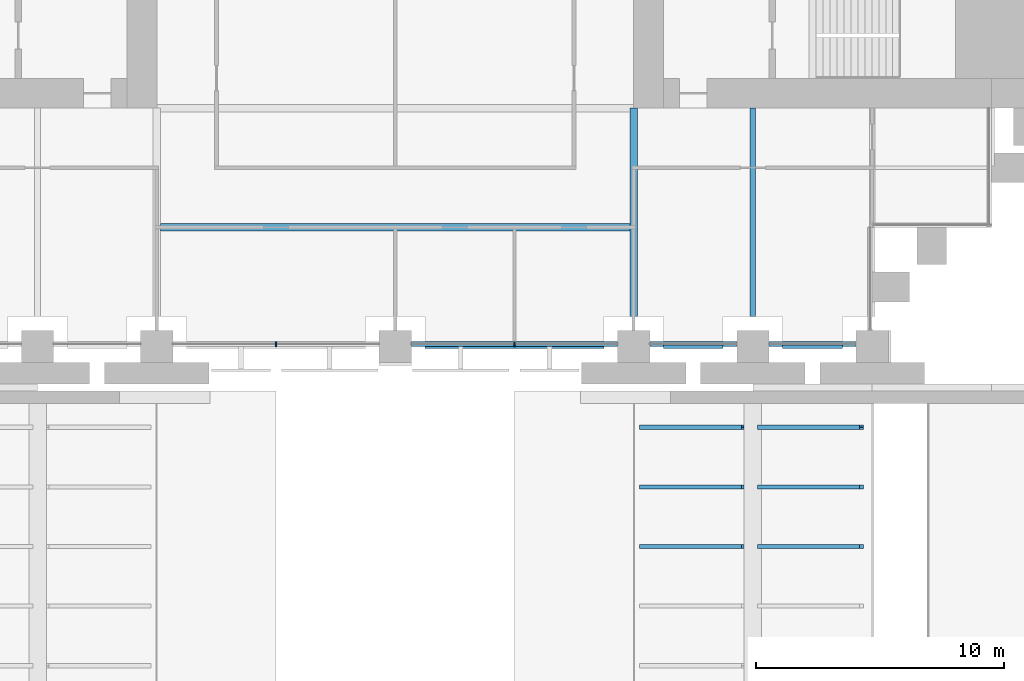
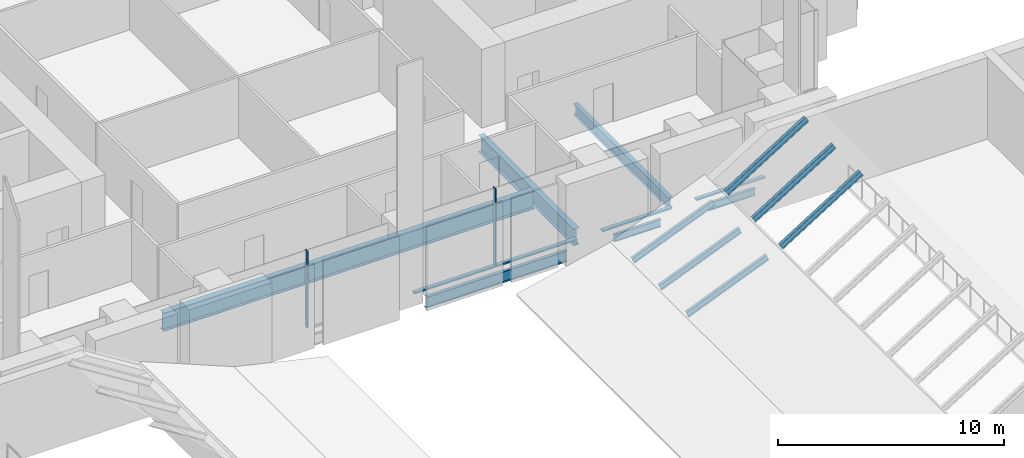
# One storey, part 8 of 32: 12 beams, 5 members, 1 element without a shape of its own.
"""IFC4 building model written with IfcOpenShell, lengths in metres."""

from ifc_helpers import new_model, si_unit, direction, frame, origin, origin_2d, place, context, subcontext, project, spatial, rectangle, i_section, extrude, material, material_profile, profile_set, type_object, element, aggregate, save


model = new_model("IFC4")

# Units and contexts
model_context = context("Model", 3, precision=1e-05, world=origin(), true_north=direction((0.0, 1.0)))
body_context = subcontext(model_context, "Body", "Model", "MODEL_VIEW")
ifc_project = project(units=[si_unit("LENGTHUNIT", "METRE"), si_unit("AREAUNIT", "SQUARE_METRE"), si_unit("VOLUMEUNIT", "CUBIC_METRE"), si_unit("PLANEANGLEUNIT", "RADIAN"), si_unit("MASSUNIT", "GRAM", prefix="KILO")], contexts=[model_context])

# Site, building, storey
site_placement = place(None, origin())
site = spatial("IfcSite", under=ifc_project, at=site_placement, CompositionType="ELEMENT")
building_placement = place(site_placement, origin())
building = spatial("IfcBuilding", under=site, at=building_placement, Name="Baori Bourse Tower", CompositionType="ELEMENT")
storey_placement = place(building_placement, frame((0.0, 0.0, 12.60009765625)))
storey = spatial("IfcBuildingStorey", under=building, at=storey_placement, Name="L01", CompositionType="ELEMENT", Elevation=12.60009765625)

# Curtain wall, members
ifc_material_1 = material(Name="Pale anodised aluminium", Category="aluminium")
curtain_wall_type = type_object("IfcCurtainWallType", Name="CW1 Curtain wall", PredefinedType="NOTDEFINED", material=ifc_material_1)
curtain_wall_placement = place(storey_placement, origin())
curtain_wall = element("IfcCurtainWall", 1, at=curtain_wall_placement, inside=storey, type_object=curtain_wall_type, Name="Curtain wall CW1 L01 11", PredefinedType="NOTDEFINED")
ifc_material_2 = material(Name="Pale anodised aluminium", Category="aluminium")
ifc_material_profile_1 = material_profile(ifc_material_2, rectangle(XDim=0.199951171875, YDim=0.06005859375, at=origin_2d()), Name="Mullion 60x200")
ifc_profile_set_1 = profile_set([ifc_material_profile_1], Name="Pale anodised aluminium")
member_type_1 = type_object("IfcMemberType", Name="CW1 Curtain wall mullion", PredefinedType="MULLION", material=ifc_profile_set_1)
member_1_placement = place(storey_placement, frame((24.0, 0.10009765625, 0.079833984375), z_axis=(0.0, 0.0, 1.0), x_axis=(0.0, 1.0, 0.0)))
member_1 = element("IfcMember", 2, at=member_1_placement, type_object=member_type_1, Name="Curtain wall CW1 mullion", PredefinedType="MULLION", context=body_context, shape_type="SweptSolid", body=[
    extrude(rectangle(XDim=0.199951171875, YDim=0.06005859375, at=origin_2d()), origin(), (0.0, 0.0, 1.0), 4.16015625),
])
member_2_placement = place(storey_placement, frame((33.60009765625, 0.10009765625, 0.079833984375), z_axis=(0.0, 0.0, 1.0), x_axis=(0.0, 1.0, 0.0)))
member_2 = element("IfcMember", 3, at=member_2_placement, type_object=member_type_1, Name="Curtain wall CW1 mullion", PredefinedType="MULLION", context=body_context, shape_type="SweptSolid", body=[
    extrude(rectangle(XDim=0.199951171875, YDim=0.06005859375, at=origin_2d()), origin(), (0.0, 0.0, 1.0), 4.16015625),
])
ifc_material_3 = material(Name="Pale anodised aluminium", Category="aluminium")
ifc_material_profile_2 = material_profile(ifc_material_3, rectangle(XDim=0.199951171875, YDim=0.080078125, at=origin_2d()), Name="Transom 80x200")
ifc_profile_set_2 = profile_set([ifc_material_profile_2], Name="Pale anodised aluminium")
member_type_2 = type_object("IfcMemberType", Name="CW1 Curtain wall transom", PredefinedType="USERDEFINED", material=ifc_profile_set_2)
member_3_placement = place(storey_placement, frame((29.449951171875, 0.10009765625, 0.039794921875), z_axis=(1.0, 0.0, 0.0), x_axis=(0.0, 1.0, 0.0)))
member_3 = element("IfcMember", 4, at=member_3_placement, type_object=member_type_2, Name="Curtain wall CW1 sill rail", ObjectType="TRANSOM", PredefinedType="USERDEFINED", context=body_context, shape_type="SweptSolid", body=[
    extrude(rectangle(XDim=0.199951171875, YDim=0.080078125, at=origin_2d()), origin(), (0.0, 0.0, 1.0), 8.300048828125),
])
member_4_placement = place(storey_placement, frame((39.050048828125, 0.10009765625, 0.039794921875), z_axis=(1.0, 0.0, 0.0), x_axis=(0.0, 1.0, 0.0)))
member_4 = element("IfcMember", 5, at=member_4_placement, type_object=member_type_2, Name="Curtain wall CW1 sill rail", ObjectType="TRANSOM", PredefinedType="USERDEFINED", context=body_context, shape_type="SweptSolid", body=[
    extrude(rectangle(XDim=0.199951171875, YDim=0.080078125, at=origin_2d()), origin(), (0.0, 0.0, 1.0), 3.5),
])
member_5_placement = place(storey_placement, frame((43.85009765625, 0.10009765625, 0.039794921875), z_axis=(1.0, 0.0, 0.0), x_axis=(0.0, 1.0, 0.0)))
member_5 = element("IfcMember", 6, at=member_5_placement, type_object=member_type_2, Name="Curtain wall CW1 sill rail", ObjectType="TRANSOM", PredefinedType="USERDEFINED", context=body_context, shape_type="SweptSolid", body=[
    extrude(rectangle(XDim=0.199951171875, YDim=0.080078125, at=origin_2d()), origin(), (0.0, 0.0, 1.0), 3.5),
])
aggregate(curtain_wall, [member_1, member_3, member_2, member_4, member_5])

# Beams
ifc_material_4 = material(Name="Steel A992 Gr 50", Category="steel")
ifc_material_profile_3 = material_profile(ifc_material_4, i_section(OverallWidth=0.140380859375, OverallDepth=0.40380859375, WebThickness=0.007080078125, FlangeThickness=0.01123046875, at=origin_2d()), Name="W16x31")
ifc_profile_set_3 = profile_set([ifc_material_profile_3], Name="Steel A992 Gr 50")
beam_type_1 = type_object("IfcBeamType", Name="Edge beam W16x31", PredefinedType="BEAM", material=ifc_profile_set_3)
beam_1_placement = place(storey_placement, frame((39.60009765625, 0.0, -0.501953125), z_axis=(1.0, 0.0, 0.0), x_axis=(0.0, 1.0, 0.0)))
element("IfcBeam", 7, at=beam_1_placement, inside=storey, type_object=beam_type_1, Name="Edge beam L01", PredefinedType="BEAM", context=body_context, shape_type="SweptSolid", body=[
    extrude(i_section(OverallWidth=0.140380859375, OverallDepth=0.40380859375, WebThickness=0.007080078125, FlangeThickness=0.01123046875, at=origin_2d()), origin(), (0.0, 0.0, 1.0), 2.39990234375),
])
beam_2_placement = place(storey_placement, frame((44.39990234375, 0.0, -0.501953125), z_axis=(1.0, 0.0, 0.0), x_axis=(0.0, 1.0, 0.0)))
element("IfcBeam", 8, at=beam_2_placement, inside=storey, type_object=beam_type_1, Name="Edge beam L01", PredefinedType="BEAM", context=body_context, shape_type="SweptSolid", body=[
    extrude(i_section(OverallWidth=0.140380859375, OverallDepth=0.40380859375, WebThickness=0.007080078125, FlangeThickness=0.01123046875, at=origin_2d()), origin(), (0.0, 0.0, 1.0), 2.400146484375),
])
ifc_material_5 = material(Name="Steel A992 Gr 50", Category="steel")
ifc_material_profile_4 = material_profile(ifc_material_5, i_section(OverallWidth=0.177978515625, OverallDepth=0.599365234375, WebThickness=0.010009765625, FlangeThickness=0.012939453125, at=origin_2d()), Name="W24x55")
ifc_profile_set_4 = profile_set([ifc_material_profile_4], Name="Steel A992 Gr 50")
beam_type_2 = type_object("IfcBeamType", Name="Edge beam W24x55", PredefinedType="BEAM", material=ifc_profile_set_4)
beam_3_placement = place(storey_placement, frame((30.0, 0.0, -0.599853515625), z_axis=(1.0, 0.0, 0.0), x_axis=(0.0, 1.0, 0.0)))
element("IfcBeam", 9, at=beam_3_placement, inside=storey, type_object=beam_type_2, Name="Edge beam L01", PredefinedType="BEAM", context=body_context, shape_type="SweptSolid", body=[
    extrude(i_section(OverallWidth=0.177978515625, OverallDepth=0.599365234375, WebThickness=0.010009765625, FlangeThickness=0.012939453125, at=origin_2d()), origin(), (0.0, 0.0, 1.0), 7.199951171875),
])
ifc_material_6 = material(Name="Steel A992 Gr 50", Category="steel")
ifc_material_profile_5 = material_profile(ifc_material_6, i_section(OverallWidth=0.227783203125, OverallDepth=0.60205078125, WebThickness=0.010498046875, FlangeThickness=0.014892578125, at=origin_2d()), Name="W24x68")
ifc_profile_set_5 = profile_set([ifc_material_profile_5], Name="Steel A992 Gr 50")
beam_type_3 = type_object("IfcBeamType", Name="Floor beam W24x68", PredefinedType="BEAM", material=ifc_profile_set_5)
beam_4_placement = place(storey_placement, frame((43.199951171875, 1.199951171875, -0.60107421875), z_axis=(0.0, 1.0, 0.0), x_axis=(-1.0, 0.0, 0.0)))
element("IfcBeam", 10, at=beam_4_placement, inside=storey, type_object=beam_type_3, Name="Floor beam L01", PredefinedType="BEAM", context=body_context, shape_type="SweptSolid", body=[
    extrude(i_section(OverallWidth=0.227783203125, OverallDepth=0.60205078125, WebThickness=0.010498046875, FlangeThickness=0.014892578125, at=origin_2d()), origin(), (0.0, 0.0, 1.0), 8.400146484375),
])
ifc_material_7 = material(Name="Steel A992 Gr 50", Category="steel")
ifc_material_profile_6 = material_profile(ifc_material_7, i_section(OverallWidth=0.2998046875, OverallDepth=0.990478515625, WebThickness=0.0166015625, FlangeThickness=0.030517578125, at=origin_2d()), Name="W40x183")
ifc_profile_set_6 = profile_set([ifc_material_profile_6], Name="Steel A992 Gr 50")
beam_type_4 = type_object("IfcBeamType", Name="Floor beam W40x183", PredefinedType="BEAM", material=ifc_profile_set_6)
beam_5_placement = place(storey_placement, frame((19.352294921875, 4.800048828125, -0.79541015625), z_axis=(1.0, 0.0, 0.0), x_axis=(0.0, 1.0, 0.0)))
element("IfcBeam", 11, at=beam_5_placement, inside=storey, type_object=beam_type_4, Name="Floor beam L01", PredefinedType="BEAM", context=body_context, shape_type="SweptSolid", body=[
    extrude(i_section(OverallWidth=0.2998046875, OverallDepth=0.990478515625, WebThickness=0.0166015625, FlangeThickness=0.030517578125, at=origin_2d()), origin(), (0.0, 0.0, 1.0), 18.895263671875),
])
ifc_material_8 = material(Name="Steel A992 Gr 50", Category="steel")
ifc_material_profile_7 = material_profile(ifc_material_8, i_section(OverallWidth=0.3046875, OverallDepth=0.904296875, WebThickness=0.01513671875, FlangeThickness=0.02001953125, at=origin_2d()), Name="W36x135")
ifc_profile_set_7 = profile_set([ifc_material_profile_7], Name="Steel A992 Gr 50")
beam_type_5 = type_object("IfcBeamType", Name="Girder W36x135", PredefinedType="BEAM", material=ifc_profile_set_7)
beam_6_placement = place(storey_placement, frame((38.39990234375, 1.199951171875, -0.752197265625), z_axis=(0.0, 1.0, 0.0), x_axis=(-1.0, 0.0, 0.0)))
element("IfcBeam", 12, at=beam_6_placement, inside=storey, type_object=beam_type_5, Name="Girder L01", PredefinedType="BEAM", context=body_context, shape_type="SweptSolid", body=[
    extrude(i_section(OverallWidth=0.3046875, OverallDepth=0.904296875, WebThickness=0.01513671875, FlangeThickness=0.02001953125, at=origin_2d()), origin(), (0.0, 0.0, 1.0), 8.400146484375),
])
ifc_material_9 = material(Name="Steel A992 Gr 50", Category="steel")
ifc_material_profile_8 = material_profile(ifc_material_9, i_section(OverallWidth=0.164794921875, OverallDepth=0.309814453125, WebThickness=0.005859375, FlangeThickness=0.009765625, at=origin_2d()), Name="W12x26")
ifc_profile_set_8 = profile_set([ifc_material_profile_8], Name="Steel A992 Gr 50")
beam_type_6 = type_object("IfcBeamType", Name="Wing beam W12x26", PredefinedType="BEAM", material=ifc_profile_set_8)
for number, where, z_axis, x_axis, name in (
    (13, (38.69140625, -8.050048828125, 0.57275390625), (0.925621569038, 0.0, 0.378450407492), (0.0, 1.0, 0.0), "wing/L01/purlin/028"),
    (14, (38.69140625, -5.64990234375, 0.57275390625), (0.925621569038, 0.0, 0.378450407492), (0.0, 1.0, 0.0), "wing/L01/purlin/029"),
    (15, (38.69140625, -3.25, 0.57275390625), (0.925621569038, 0.0, 0.378450407492), (0.0, 1.0, 0.0), "wing/L01/purlin/030"),
):
    element("IfcBeam", number, at=place(storey_placement, frame(where, z_axis=z_axis, x_axis=x_axis)), inside=storey, type_object=beam_type_6, Name=name, PredefinedType="BEAM", context=body_context, shape_type="SweptSolid", body=[
        extrude(i_section(OverallWidth=0.164794921875, OverallDepth=0.309814453125, WebThickness=0.005859375, FlangeThickness=0.009765625, at=origin_2d()), origin(), (0.0, 0.0, 1.0), 4.42919921875),
    ])
for number, where, z_axis, x_axis, name in (
    (16, (43.4677734375, -8.050048828125, 2.553466796875), (0.847867807961, 0.0, 0.530207676504), (0.0, 1.0, 0.0), "wing/L01/purlin/038"),
    (17, (43.4677734375, -5.64990234375, 2.553466796875), (0.847867807961, 0.0, 0.530207676504), (0.0, 1.0, 0.0), "wing/L01/purlin/039"),
    (18, (43.4677734375, -3.25, 2.553466796875), (0.847867807961, 0.0, 0.530207676504), (0.0, 1.0, 0.0), "wing/L01/purlin/040"),
):
    element("IfcBeam", number, at=place(storey_placement, frame(where, z_axis=z_axis, x_axis=x_axis)), inside=storey, type_object=beam_type_6, Name=name, PredefinedType="BEAM", context=body_context, shape_type="SweptSolid", body=[
        extrude(i_section(OverallWidth=0.164794921875, OverallDepth=0.309814453125, WebThickness=0.005859375, FlangeThickness=0.009765625, at=origin_2d()), origin(), (0.0, 0.0, 1.0), 4.835693359375),
    ])

save(model, "model.ifc")
